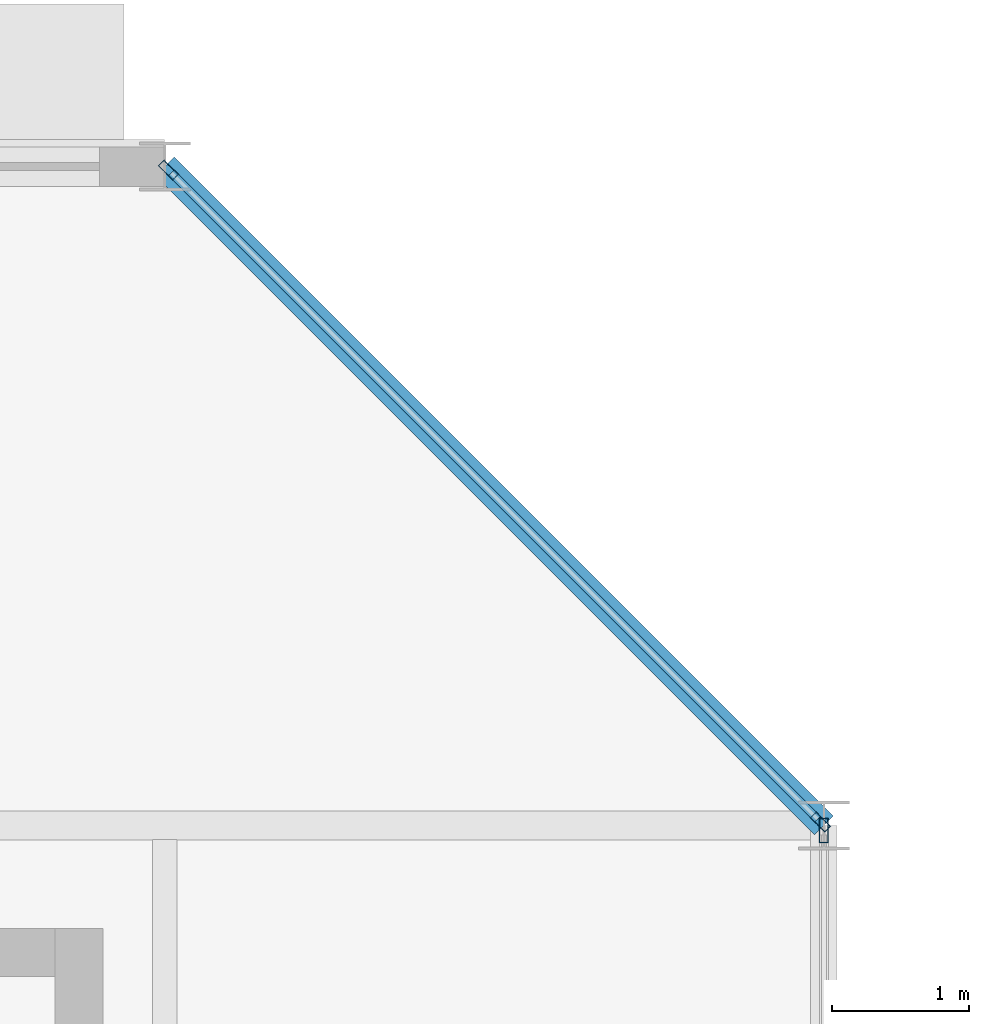
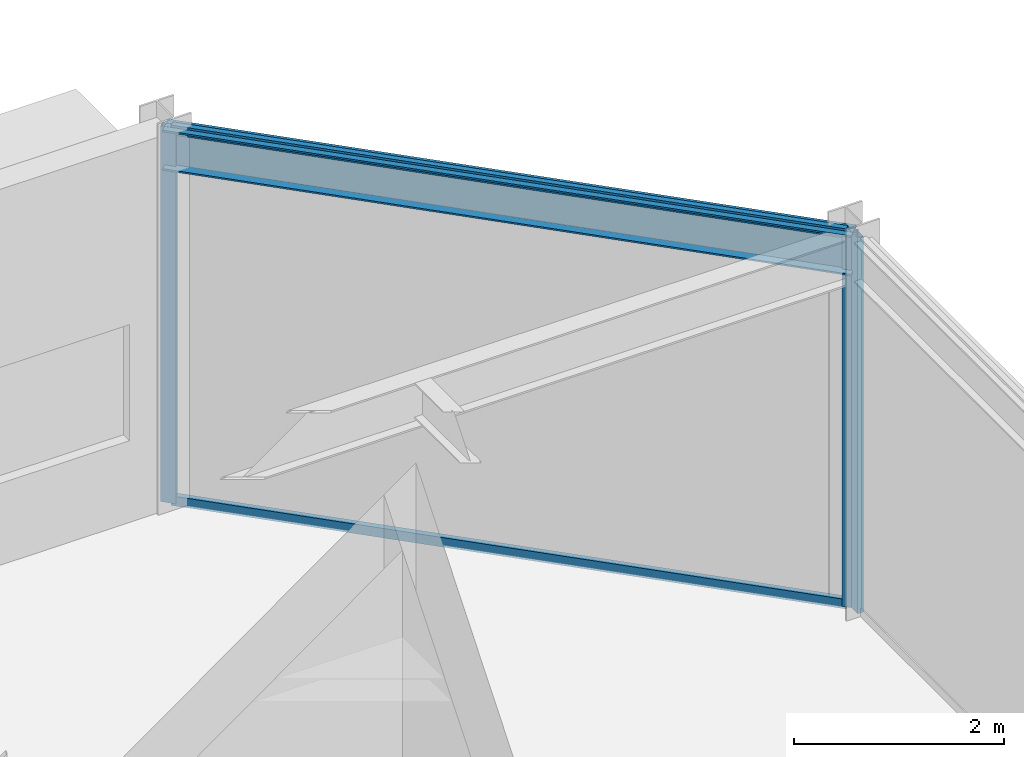
# One storey, part 46 of 116: 5 members, 1 beam, 2 elements without a shape of their own.
"""IFC4 building model written with IfcOpenShell, lengths in metres."""

import ifcopenshell
import ifcopenshell.guid

model = None  # the IFC model being written
_history = None  # IfcOwnerHistory: only IFC2X3 demands one
_inside = {}  # id of a spatial element -> (the spatial element, [elements in it])
_under = {}  # id of a project, library or spatial element -> (it, [spatial elements below it])
_declared = {}  # id of a project -> (the project, [libraries it declares])
_typed = {}  # id of a type object -> (the type object, [elements of that type])
_made_of = {}  # id of a material, layer set ... -> (it, [elements and type objects made of it])


def new_model(schema):
    """Start an empty IFC model of exactly this schema.

    Asked for "IFC4X3", IfcOpenShell would pick the latest addendum, in which some entities
    have other attributes; the version numbers below select the first issue.
    IFC2X3 requires an IfcOwnerHistory on every rooted entity: one is made here for all.
    """
    global model, _history
    if schema == "IFC4X3":
        model = ifcopenshell.file(schema_version=(4, 3, 0, 0))
    else:
        model = ifcopenshell.file(schema=schema)
    _inside.clear()
    _under.clear()
    _declared.clear()
    _typed.clear()
    _made_of.clear()
    _history = None
    if model.schema == "IFC2X3":
        org = make("IfcOrganization", Name="unknown")
        user = make(
            "IfcPersonAndOrganization",
            ThePerson=make("IfcPerson", FamilyName="unknown"),
            TheOrganization=org,
        )
        app = make(
            "IfcApplication",
            ApplicationDeveloper=org,
            Version="unknown",
            ApplicationFullName="unknown",
            ApplicationIdentifier="unknown",
        )
        _history = make(
            "IfcOwnerHistory",
            OwningUser=user,
            OwningApplication=app,
            ChangeAction="ADDED",
            CreationDate=0,
        )
    return model


def make(cls, **values):
    """One entity of the class cls with the attributes given. An attribute that is None is left unset."""
    return model.create_entity(
        cls, **{name: value for name, value in values.items() if value is not None}
    )


def rooted(cls, **values):
    """An entity with a GlobalId (a new one), such as an element, a storey or a relation."""
    return make(cls, GlobalId=ifcopenshell.guid.new(), OwnerHistory=_history, **values)


def si_unit(unit_type, name, prefix=None):
    """IfcSIUnit, for example si_unit("LENGTHUNIT", "METRE", prefix="MILLI")."""
    return make("IfcSIUnit", UnitType=unit_type, Prefix=prefix, Name=name)


def assignment(units):
    """IfcUnitAssignment: the units of a project."""
    return None if units is None else make("IfcUnitAssignment", Units=units)


def point(xyz):
    """IfcCartesianPoint."""
    return None if xyz is None else make("IfcCartesianPoint", Coordinates=xyz)


def direction(xyz):
    """IfcDirection."""
    return None if xyz is None else make("IfcDirection", DirectionRatios=xyz)


def frame(location, z_axis=None, x_axis=None):
    """IfcAxis2Placement3D, a coordinate frame: its origin and axes. An axis left out is left unset."""
    return make(
        "IfcAxis2Placement3D",
        Location=point(location),
        Axis=direction(z_axis),
        RefDirection=direction(x_axis),
    )


def frame_2d(location, x_axis=None):
    """IfcAxis2Placement2D, a coordinate frame in the plane: its origin and x axis."""
    return make(
        "IfcAxis2Placement2D", Location=point(location), RefDirection=direction(x_axis)
    )


def origin():
    """The frame at (0, 0, 0) with its axes left unset."""
    return frame((0.0, 0.0, 0.0))


def origin_2d():
    """The frame at (0, 0) in the plane with its x axis left unset."""
    return frame_2d((0.0, 0.0))


def place(relative_to, where):
    """IfcLocalPlacement: puts the frame where relative to a parent placement (None: the world)."""
    return make(
        "IfcLocalPlacement", PlacementRelTo=relative_to, RelativePlacement=where
    )


def context(
    kind, dimensions, precision=None, world=None, true_north=None, identifier=None
):
    """IfcGeometricRepresentationContext, for example the 3D "Model" context."""
    return make(
        "IfcGeometricRepresentationContext",
        ContextIdentifier=identifier,
        ContextType=kind,
        CoordinateSpaceDimension=dimensions,
        Precision=precision,
        WorldCoordinateSystem=world,
        TrueNorth=true_north,
    )


def subcontext(parent, identifier, kind, view, scale=None):
    """IfcGeometricRepresentationSubContext, for example "Body" below "Model"."""
    return make(
        "IfcGeometricRepresentationSubContext",
        ContextIdentifier=identifier,
        ContextType=kind,
        ParentContext=parent,
        TargetScale=scale,
        TargetView=view,
    )


def project(units=None, contexts=None):
    """IfcProject with its units and contexts."""
    return rooted(
        "IfcProject",
        Name="project",
        RepresentationContexts=contexts,
        UnitsInContext=assignment(units),
    )


def spatial(cls, under=None, at=None, **own):
    """A site, building, storey or space (cls), placed at a placement, below another one or the project."""
    s = rooted(cls, ObjectPlacement=at, **own)
    if under is not None:
        _under.setdefault(under.id(), (under, []))[1].append(s)
    return s


def profile(cls, at=None, kind="AREA", **sizes):
    """A parametric profile (cls). Its sizes go by their IFC names, for example OverallWidth=200.0."""
    return make(cls, ProfileType=kind, Position=at, **sizes)


def hollow_rectangle(**sizes):
    """IfcRectangleHollowProfileDef."""
    return profile("IfcRectangleHollowProfileDef", **sizes)


def i_section(**sizes):
    """IfcIShapeProfileDef."""
    return profile("IfcIShapeProfileDef", **sizes)


def extrude(swept, where, along, depth):
    """IfcExtrudedAreaSolid: the profile swept, set in the frame where, extruded along a direction by depth."""
    return make(
        "IfcExtrudedAreaSolid",
        SweptArea=swept,
        Position=where,
        ExtrudedDirection=direction(along),
        Depth=depth,
    )


def shape(context_of_items, identifier, shape_type, items):
    """IfcShapeRepresentation: the items that make up one representation, for example the "Body"."""
    return make(
        "IfcShapeRepresentation",
        ContextOfItems=context_of_items,
        RepresentationIdentifier=identifier,
        RepresentationType=shape_type,
        Items=items,
    )


def material(Name=None, Category=None):
    """IfcMaterial."""
    return make("IfcMaterial", Name=Name, Category=Category)


def material_profile(
    of_material, cross_section, Name=None, Category=None, Priority=None
):
    """IfcMaterialProfile: a cross section and its material."""
    return make(
        "IfcMaterialProfile",
        Name=Name,
        Material=of_material,
        Profile=cross_section,
        Priority=Priority,
        Category=Category,
    )


def profile_set(profiles, Name=None, composite=None):
    """IfcMaterialProfileSet."""
    return make(
        "IfcMaterialProfileSet",
        Name=Name,
        MaterialProfiles=profiles,
        CompositeProfile=composite,
    )


def made_of(thing, what):
    """Note that an element or type object is made of a material, layer set ...; save() writes the relation."""
    if what is not None:
        _made_of.setdefault(what.id(), (what, []))[1].append(thing)
    return thing


def type_object(cls, material=None, **own):
    """A type object (cls), such as IfcWallType, which elements share."""
    return made_of(rooted(cls, **own), material)


def element(
    cls,
    number,
    at=None,
    inside=None,
    cuts=None,
    type_object=None,
    material=None,
    context=None,
    identifier="Body",
    shape_type=None,
    held_by="IfcProductDefinitionShape",
    body=None,
    shapes=None,
    **own,
):
    """One element of the class cls, such as IfcWall. Its Tag is "e" and its number.

    at: its placement. inside: the storey or other place that contains it. cuts: it is an
    opening in that element (IfcRelVoidsElement). A single representation is given by context,
    identifier, shape_type and body (its items); several are given by shapes. held_by: the class
    of the entity that holds the representations. save() writes the other relations.
    """
    e = rooted(cls, Tag="e%d" % number, ObjectPlacement=at, **own)
    if body is not None:
        shapes = [shape(context, identifier, shape_type, body)]
    if shapes is not None:
        e.Representation = make(held_by, Representations=shapes)
    if inside is not None:
        _inside.setdefault(inside.id(), (inside, []))[1].append(e)
    if cuts is not None:
        rooted(
            "IfcRelVoidsElement", RelatingBuildingElement=cuts, RelatedOpeningElement=e
        )
    if type_object is not None:
        _typed.setdefault(type_object.id(), (type_object, []))[1].append(e)
    return made_of(e, material)


def aggregate(whole, parts):
    """IfcRelAggregates: a whole, such as a stair, and the parts it consists of."""
    return rooted("IfcRelAggregates", RelatingObject=whole, RelatedObjects=parts)


def save(model, path):
    """Write the relations noted so far, then the file.

    IfcRelAggregates (storeys below a building ...), IfcRelContainedInSpatialStructure (elements
    in a storey), IfcRelDefinesByType, IfcRelAssociatesMaterial and IfcRelDeclares: one each for
    every whole, place, type object, material and project.
    """
    for whole, parts in _under.values():
        aggregate(whole, parts)
    for where, things in _inside.values():
        rooted(
            "IfcRelContainedInSpatialStructure",
            RelatedElements=things,
            RelatingStructure=where,
        )
    for kind, things in _typed.values():
        rooted("IfcRelDefinesByType", RelatedObjects=things, RelatingType=kind)
    for what, things in _made_of.values():
        rooted("IfcRelAssociatesMaterial", RelatedObjects=things, RelatingMaterial=what)
    for by, libraries in _declared.values():
        rooted("IfcRelDeclares", RelatingContext=by, RelatedDefinitions=libraries)
    model.write(path)


model = new_model("IFC4")

# Units and contexts
model_context = context("Model", 3, precision=1e-05, world=origin(), true_north=direction((0.0, 1.0)))
body_context = subcontext(model_context, "Body", "Model", "MODEL_VIEW")
ifc_project = project(units=[si_unit("LENGTHUNIT", "METRE"), si_unit("AREAUNIT", "SQUARE_METRE"), si_unit("VOLUMEUNIT", "CUBIC_METRE"), si_unit("PLANEANGLEUNIT", "RADIAN"), si_unit("MASSUNIT", "GRAM", prefix="KILO")], contexts=[model_context])

# Site, building, storey
site_placement = place(None, origin())
site = spatial("IfcSite", under=ifc_project, at=site_placement, CompositionType="ELEMENT")
building_placement = place(site_placement, origin())
building = spatial("IfcBuilding", under=site, at=building_placement, Name="Almandine Court Research Institute", CompositionType="ELEMENT")
storey_placement = place(building_placement, frame((0.0, 0.0, 14.35009765625)))
storey = spatial("IfcBuildingStorey", under=building, at=storey_placement, Name="L03", CompositionType="ELEMENT", Elevation=14.35009765625)

# Beam
ifc_material_1 = material(Name="Steel ASTM A992 Grade 50", Category="steel")
ifc_material_profile_1 = material_profile(ifc_material_1, i_section(OverallWidth=0.193115234375, OverallDepth=0.466064453125, WebThickness=0.010986328125, FlangeThickness=0.01904296875, at=origin_2d()), Name="W460x97")
ifc_profile_set_1 = profile_set([ifc_material_profile_1], Name="Steel ASTM A992 Grade 50")
beam_type = type_object("IfcBeamType", Name="Beam-G-06-E", PredefinedType="SPANDREL", material=ifc_profile_set_1)
beam_placement = place(storey_placement, frame((34.800048828125, 112.800048828125, 4.136962890625), z_axis=(-0.707106781187, 0.707106781187, 0.0), x_axis=(-0.707106781187, -0.707106781187, 0.0)))
element("IfcBeam", 1, at=beam_placement, inside=storey, type_object=beam_type, Name="L03 V3 Octagonal Chamfer Spandrel", PredefinedType="SPANDREL", context=body_context, shape_type="SweptSolid", body=[
    extrude(i_section(OverallWidth=0.193115234375, OverallDepth=0.466064453125, WebThickness=0.010986328125, FlangeThickness=0.01904296875, at=origin_2d()), origin(), (0.0, 0.0, 1.0), 6.788330078125),
])

# Curtain wall, members
ifc_material_2 = material(Name="Unitised Curtain Wall Framing and Solar Glazing", Category="glass")
curtain_wall_type_1 = type_object("IfcCurtainWallType", Name="CW-CWG-05", PredefinedType="USERDEFINED", material=ifc_material_2)
curtain_wall_1_placement = place(storey_placement, origin())
curtain_wall_1 = element("IfcCurtainWall", 2, at=curtain_wall_1_placement, inside=storey, type_object=curtain_wall_type_1, Name="L03 Cleanroom NE Chamfer Glazing", ObjectType="UNITISED GLAZING", PredefinedType="USERDEFINED")
ifc_material_3 = material(Name="Anodised Aluminium AW-6063-T6", Category="aluminium")
ifc_material_profile_2 = material_profile(ifc_material_3, hollow_rectangle(XDim=0.06005859375, YDim=0.14990234375, WallThickness=0.00390625, at=origin_2d()), Name="ALU RHS 60x150x4")
ifc_profile_set_2 = profile_set([ifc_material_profile_2], Name="Anodised Aluminium AW-6063-T6")
member_type_1 = type_object("IfcMemberType", Name="CWMul-60x150", PredefinedType="MULLION", material=ifc_profile_set_2)
member_1_placement = place(storey_placement, frame((30.025146484375, 117.57470703125, 0.0), z_axis=(0.0, 0.0, 1.0), x_axis=(0.707106781187, 0.707106781187, 0.0)))
member_1 = element("IfcMember", 3, at=member_1_placement, type_object=member_type_1, Name="CWG-05 mullion 1", PredefinedType="MULLION", context=body_context, shape_type="SweptSolid", body=[
    extrude(hollow_rectangle(XDim=0.06005859375, YDim=0.14990234375, WallThickness=0.00390625, at=origin_2d()), origin(), (0.0, 0.0, 1.0), 4.369873046875),
])
member_2_placement = place(storey_placement, frame((34.77490234375, 112.8251953125, 0.0), z_axis=(0.0, 0.0, 1.0), x_axis=(0.707106781187, 0.707106781187, 0.0)))
member_2 = element("IfcMember", 4, at=member_2_placement, type_object=member_type_1, Name="CWG-05 mullion 2", PredefinedType="MULLION", context=body_context, shape_type="SweptSolid", body=[
    extrude(hollow_rectangle(XDim=0.06005859375, YDim=0.14990234375, WallThickness=0.00390625, at=origin_2d()), origin(), (0.0, 0.0, 1.0), 4.369873046875),
])

# Curtain wall, member
curtain_wall_type_2 = type_object("IfcCurtainWallType", Name="CW-CWJ-02", PredefinedType="USERDEFINED", material=ifc_material_2)
curtain_wall_2_placement = place(storey_placement, origin())
curtain_wall_2 = element("IfcCurtainWall", 5, at=curtain_wall_2_placement, inside=storey, type_object=curtain_wall_type_2, Name="L03 Cleanroom East Courtyard Jali Screen 3", ObjectType="SOLAR JALI SCREEN", PredefinedType="USERDEFINED")
ifc_material_profile_3 = material_profile(ifc_material_3, hollow_rectangle(XDim=0.06494140625, YDim=0.179931640625, WallThickness=0.00390625, at=origin_2d()), Name="ALU RHS 65x180x4")
ifc_profile_set_3 = profile_set([ifc_material_profile_3], Name="Anodised Aluminium AW-6063-T6")
member_type_2 = type_object("IfcMemberType", Name="CWMul-65x180", PredefinedType="MULLION", material=ifc_profile_set_3)
member_3_placement = place(storey_placement, frame((34.800048828125, 112.763427734375, 0.0), z_axis=(0.0, 0.0, 1.0), x_axis=(1.0, 0.0, 0.0)))
member_3 = element("IfcMember", 6, at=member_3_placement, type_object=member_type_2, Name="CWJ-02 mullion 1", PredefinedType="MULLION", context=body_context, shape_type="SweptSolid", body=[
    extrude(hollow_rectangle(XDim=0.06494140625, YDim=0.179931640625, WallThickness=0.00390625, at=origin_2d()), origin(), (0.0, 0.0, 1.0), 4.369873046875),
])
aggregate(curtain_wall_2, [member_3])

# Member
ifc_material_profile_4 = material_profile(ifc_material_3, hollow_rectangle(XDim=0.06005859375, YDim=0.110107421875, WallThickness=0.00390625, at=origin_2d()), Name="ALU RHS 60x110x4")
ifc_profile_set_4 = profile_set([ifc_material_profile_4], Name="Anodised Aluminium AW-6063-T6")
member_type_3 = type_object("IfcMemberType", Name="CWTrn-60x110", PredefinedType="NOTDEFINED", material=ifc_profile_set_4)
member_4_placement = place(storey_placement, frame((30.04638671875, 117.553466796875, 0.02978515625), z_axis=(0.707125118305, -0.707088443593, 0.0), x_axis=(0.707088443593, 0.707125118305, 0.0)))
member_4 = element("IfcMember", 7, at=member_4_placement, type_object=member_type_3, Name="CWG-05 transom 1.1", ObjectType="TRANSOM", PredefinedType="USERDEFINED", context=body_context, shape_type="SweptSolid", body=[
    extrude(hollow_rectangle(XDim=0.06005859375, YDim=0.110107421875, WallThickness=0.00390625, at=origin_2d()), origin(), (0.0, 0.0, 1.0), 6.656982421875),
])

member_5_placement = place(storey_placement, frame((30.04638671875, 117.553466796875, 4.33984375), z_axis=(0.707125118305, -0.707088443593, 0.0), x_axis=(0.707088443593, 0.707125118305, 0.0)))
member_5 = element("IfcMember", 8, at=member_5_placement, type_object=member_type_3, Name="CWG-05 transom 1.2", ObjectType="TRANSOM", PredefinedType="USERDEFINED", context=body_context, shape_type="SweptSolid", body=[
    extrude(hollow_rectangle(XDim=0.06005859375, YDim=0.110107421875, WallThickness=0.00390625, at=origin_2d()), origin(), (0.0, 0.0, 1.0), 6.656982421875),
])

aggregate(curtain_wall_1, [member_1, member_2, member_4, member_5])

save(model, "model.ifc")
